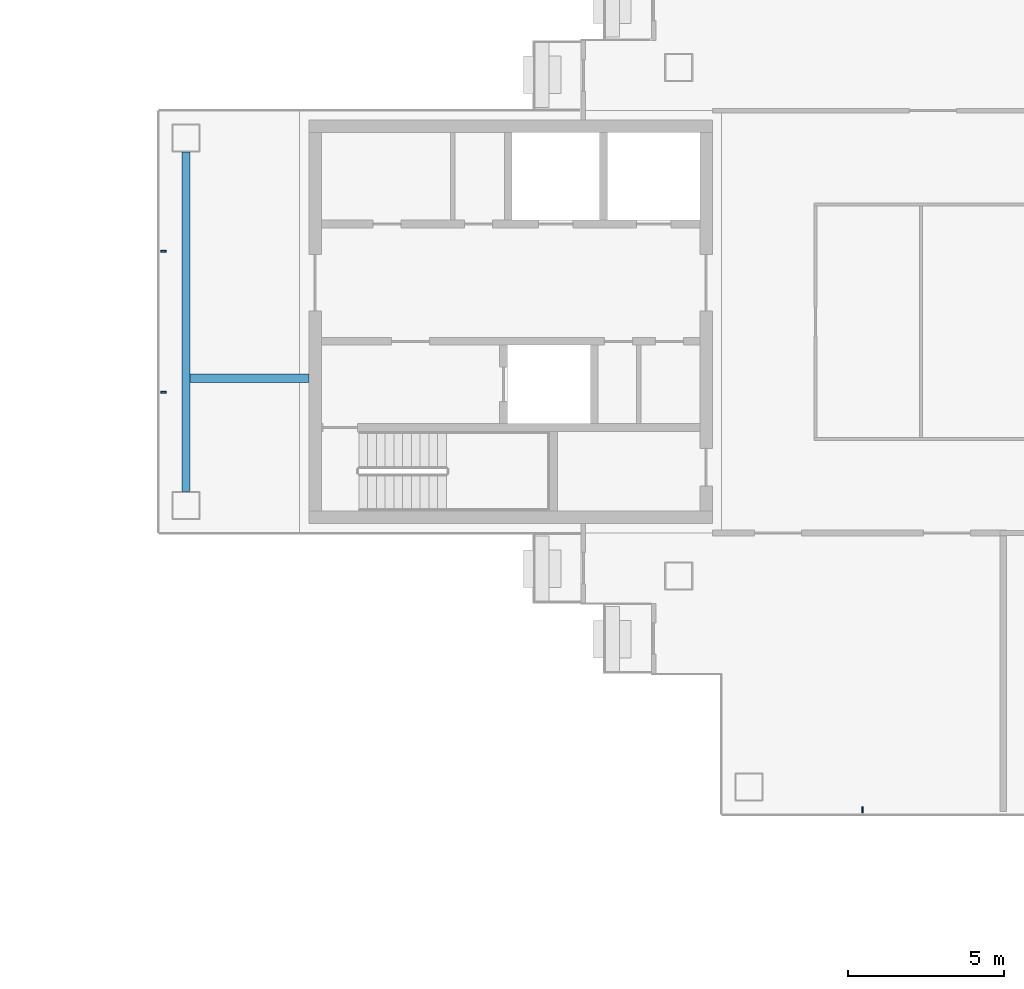
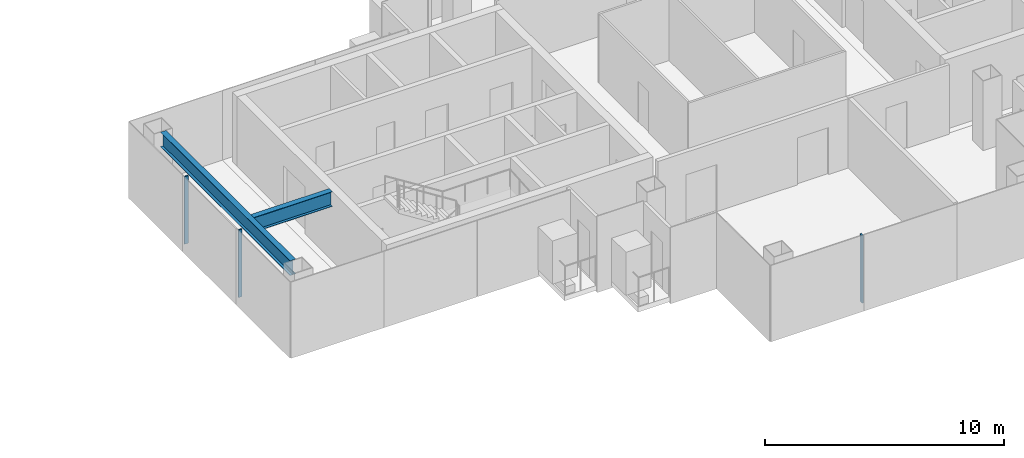
# One storey, part 5 of 16: 3 members, 2 beams, 2 elements without a shape of their own.
"""IFC4 building model written with IfcOpenShell, lengths in metres."""

from ifc_helpers import new_model, si_unit, direction, frame, origin, origin_2d, place, context, subcontext, project, spatial, rectangle, i_section, extrude, material, layer, layer_set, material_profile, profile_set, type_object, element, aggregate, save


model = new_model("IFC4")

# Units and contexts
model_context = context("Model", 3, precision=1e-05, world=origin(), true_north=direction((0.0, 1.0)))
body_context = subcontext(model_context, "Body", "Model", "MODEL_VIEW")
ifc_project = project(units=[si_unit("LENGTHUNIT", "METRE"), si_unit("AREAUNIT", "SQUARE_METRE"), si_unit("VOLUMEUNIT", "CUBIC_METRE"), si_unit("PLANEANGLEUNIT", "RADIAN"), si_unit("MASSUNIT", "GRAM", prefix="KILO")], contexts=[model_context])

# Site, building, storey
site_placement = place(None, origin())
site = spatial("IfcSite", under=ifc_project, at=site_placement, CompositionType="ELEMENT")
building_placement = place(site_placement, origin())
building = spatial("IfcBuilding", under=site, at=building_placement, Name="Shamsa Quay Exchange Towers", CompositionType="ELEMENT")
storey_placement = place(building_placement, frame((0.0, 0.0, 246.0)))
storey = spatial("IfcBuildingStorey", under=building, at=storey_placement, Name="L59", CompositionType="ELEMENT", Elevation=246.0)

# Curtain wall, members
ifc_material_1 = material(Name="Aluminium EN AW-6063 T6, black anodised", Category="aluminium")
ifc_layer = layer(ifc_material_1, 0.280029296875)
ifc_layer_set = layer_set([ifc_layer], Name="CW-1 UNITISED VISION GLASS")
curtain_wall_type = type_object("IfcCurtainWallType", Name="CW-1 UNITISED VISION GLASS", PredefinedType="NOTDEFINED", material=ifc_layer_set)
curtain_wall_1_placement = place(storey_placement, origin())
curtain_wall_1 = element("IfcCurtainWall", 1, at=curtain_wall_1_placement, inside=storey, type_object=curtain_wall_type, Name="CW1 T2-END-V+ L59", PredefinedType="NOTDEFINED")
ifc_material_profile_1 = material_profile(ifc_material_1, rectangle(XDim=0.179931640625, YDim=0.06005859375, at=origin_2d()), Name="MU60x180")
ifc_profile_set_1 = profile_set([ifc_material_profile_1], Name="Aluminium EN AW-6063 T6, black anodised")
member_type = type_object("IfcMemberType", Name="CW1 MULLION 60x180", PredefinedType="MULLION", material=ifc_profile_set_1)
member_1_placement = place(storey_placement, frame((9.14990234375, 2.25, 0.0)))
member_1 = element("IfcMember", 2, at=member_1_placement, type_object=member_type, Name="CW1 mullion", PredefinedType="MULLION", context=body_context, shape_type="SweptSolid", body=[
    extrude(rectangle(XDim=0.179931640625, YDim=0.06005859375, at=origin_2d()), origin(), (0.0, 0.0, 1.0), 3.449951171875),
])
member_2_placement = place(storey_placement, frame((9.14990234375, -2.25, 0.0)))
member_2 = element("IfcMember", 3, at=member_2_placement, type_object=member_type, Name="CW1 mullion", PredefinedType="MULLION", context=body_context, shape_type="SweptSolid", body=[
    extrude(rectangle(XDim=0.179931640625, YDim=0.06005859375, at=origin_2d()), origin(), (0.0, 0.0, 1.0), 3.449951171875),
])
aggregate(curtain_wall_1, [member_1, member_2])

# Curtain wall, member
curtain_wall_2_placement = place(storey_placement, origin())
curtain_wall_2 = element("IfcCurtainWall", 4, at=curtain_wall_2_placement, inside=storey, type_object=curtain_wall_type, Name="CW1 T2-END-U- L59", PredefinedType="NOTDEFINED")
member_3_placement = place(storey_placement, frame((31.5, -15.60009765625, 0.0), z_axis=(0.0, 0.0, 1.0), x_axis=(0.0, 1.0, 0.0)))
member_3 = element("IfcMember", 5, at=member_3_placement, type_object=member_type, Name="CW1 mullion", PredefinedType="MULLION", context=body_context, shape_type="SweptSolid", body=[
    extrude(rectangle(XDim=0.179931640625, YDim=0.06005859375, at=origin_2d()), origin(), (0.0, 0.0, 1.0), 3.449951171875),
])
aggregate(curtain_wall_2, [member_3])

# Beams
ifc_material_2 = material(Name="Steel S355", Category="steel")
ifc_material_profile_2 = material_profile(ifc_material_2, i_section(OverallWidth=0.26611328125, OverallDepth=0.7578125, WebThickness=0.013916015625, FlangeThickness=0.019287109375, at=origin_2d()), Name="W30x108")
ifc_profile_set_2 = profile_set([ifc_material_profile_2], Name="Steel S355")
beam_type = type_object("IfcBeamType", Name="End-zone beam W30x108", PredefinedType="BEAM", material=ifc_profile_set_2)
beam_1_placement = place(storey_placement, frame((9.875, -5.425048828125, 3.171142578125), z_axis=(0.0, 1.0, 0.0), x_axis=(-1.0, 0.0, 0.0)))
element("IfcBeam", 6, at=beam_1_placement, inside=storey, type_object=beam_type, Name="End beam T2 V+ end zone L59", PredefinedType="BEAM", context=body_context, shape_type="SweptSolid", body=[
    extrude(i_section(OverallWidth=0.26611328125, OverallDepth=0.7578125, WebThickness=0.013916015625, FlangeThickness=0.019287109375, at=origin_2d()), origin(), (0.0, 0.0, 1.0), 10.85009765625),
])
beam_2_placement = place(storey_placement, frame((13.800048828125, -1.800048828125, 3.171142578125), z_axis=(-1.0, 0.0, 0.0), x_axis=(0.0, -1.0, 0.0)))
element("IfcBeam", 7, at=beam_2_placement, inside=storey, type_object=beam_type, Name="Spine beam T2 V+ end zone L59", PredefinedType="BEAM", context=body_context, shape_type="SweptSolid", body=[
    extrude(i_section(OverallWidth=0.26611328125, OverallDepth=0.7578125, WebThickness=0.013916015625, FlangeThickness=0.019287109375, at=origin_2d()), origin(), (0.0, 0.0, 1.0), 3.7919921875),
])

save(model, "model.ifc")
